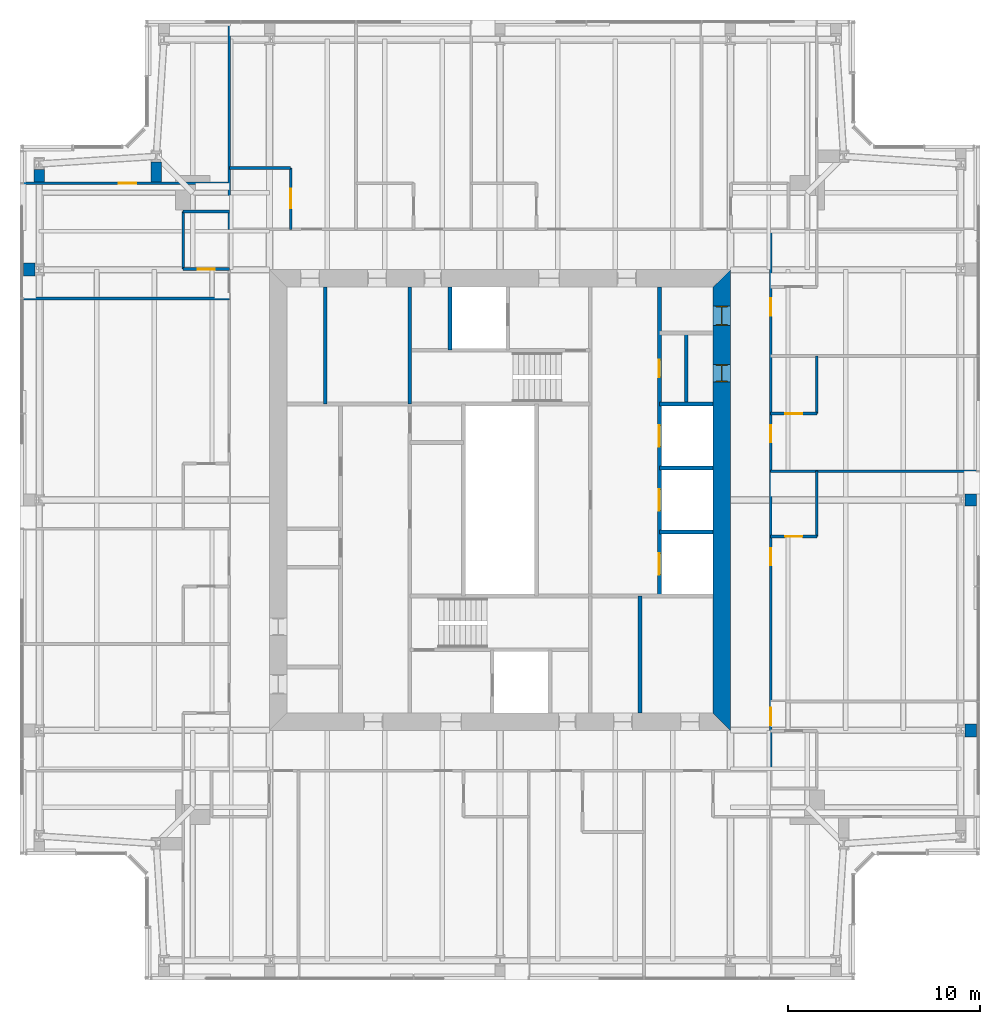
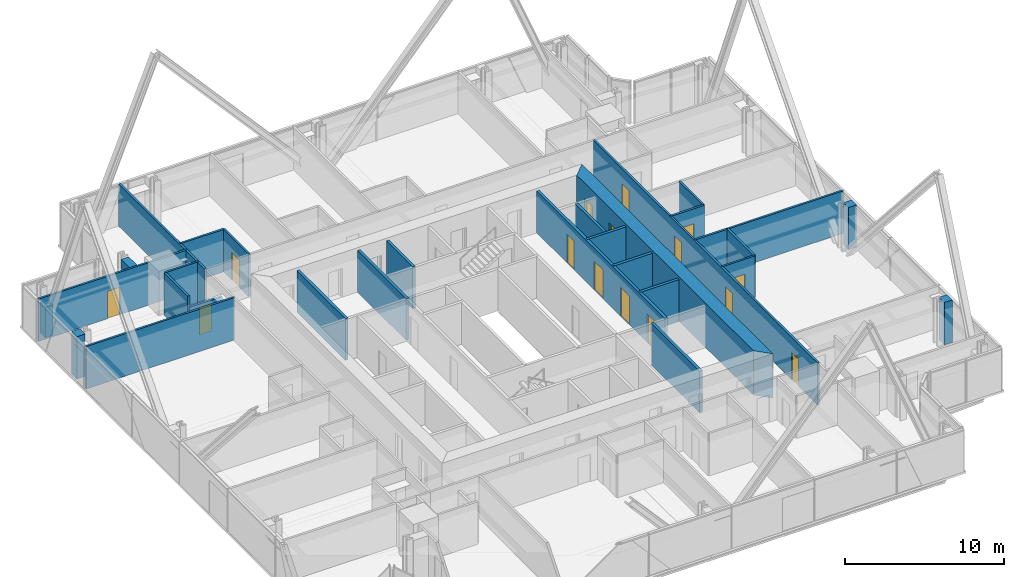
# One storey, part 13 of 20: 29 walls, 15 doors, 15 openings.
"""IFC4 building model written with IfcOpenShell, lengths in metres."""

from ifc_helpers import new_model, si_unit, direction, frame, frame_2d, origin, place, context, subcontext, project, spatial, polyline, rectangle, outline, extrude, material, layer, layer_set, type_object, element, fill, save


model = new_model("IFC4")

# Units and contexts
model_context = context("Model", 3, precision=1e-05, world=origin(), true_north=direction((0.0, 1.0)))
body_context = subcontext(model_context, "Body", "Model", "MODEL_VIEW")
ifc_project = project(units=[si_unit("LENGTHUNIT", "METRE"), si_unit("AREAUNIT", "SQUARE_METRE"), si_unit("VOLUMEUNIT", "CUBIC_METRE"), si_unit("PLANEANGLEUNIT", "RADIAN"), si_unit("MASSUNIT", "GRAM", prefix="KILO")], contexts=[model_context])

# Site, building, storey
site_placement = place(None, origin())
site = spatial("IfcSite", under=ifc_project, at=site_placement, CompositionType="ELEMENT")
building_placement = place(site_placement, origin())
building = spatial("IfcBuilding", under=site, at=building_placement, Name="Fenwick Lantern Interchange", CompositionType="ELEMENT")
storey_placement = place(building_placement, frame((0.0, 0.0, 256.0)))
storey = spatial("IfcBuildingStorey", under=building, at=storey_placement, Name="L60", CompositionType="ELEMENT", Elevation=256.0)

# Walls
ifc_material_1 = material(Name="Fire-rated gypsum board encasement on steel studs, 2 hour", Category="steel")
ifc_layer_1 = layer(ifc_material_1, 0.554931640625)
ifc_layer_set_1 = layer_set([ifc_layer_1], Name="COLUMN PIER 555")
wall_type_1 = type_object("IfcWallType", Name="COLUMN PIER 555", PredefinedType="PARTITIONING", material=ifc_layer_set_1)
wall_1_placement = place(storey_placement, frame((7.10009765625, 41.574951171875, 0.0), z_axis=(0.0, 0.0, 1.0), x_axis=(0.0, 1.0, 0.0)))
element("IfcWall", 1, at=wall_1_placement, inside=storey, type_object=wall_type_1, Name="L60/W/PIER/CNR", PredefinedType="PARTITIONING", context=body_context, shape_type="SweptSolid", body=[
    extrude(rectangle(XDim=1.04052734375, YDim=0.554931640625, at=frame_2d((0.520263671875, 0.0))), origin(), (0.0, 0.0, 1.0), 3.25),
])
wall_2_placement = place(storey_placement, frame((1.0, 41.574951171875, 0.0), z_axis=(0.0, 0.0, 1.0), x_axis=(0.0, 1.0, 0.0)))
element("IfcWall", 2, at=wall_2_placement, inside=storey, type_object=wall_type_1, Name="L60/W/PIER/CW1", PredefinedType="PARTITIONING", context=body_context, shape_type="SweptSolid", body=[
    extrude(rectangle(XDim=0.640625, YDim=0.554931640625, at=frame_2d((0.3203125, 0.0))), origin(), (0.0, 0.0, 1.0), 2.338134765625),
])
ifc_layer_2 = layer(ifc_material_1, 0.631103515625)
ifc_layer_set_2 = layer_set([ifc_layer_2], Name="COLUMN PIER 631")
wall_type_2 = type_object("IfcWallType", Name="COLUMN PIER 631", PredefinedType="PARTITIONING", material=ifc_layer_set_2)
wall_3_placement = place(storey_placement, frame((49.81005859375, 25.0, 0.0), z_axis=(0.0, 0.0, 1.0), x_axis=(-1.0, 0.0, 0.0)))
element("IfcWall", 3, at=wall_3_placement, inside=storey, type_object=wall_type_2, Name="L60/W/PIER/CE3", PredefinedType="PARTITIONING", context=body_context, shape_type="SweptSolid", body=[
    extrude(rectangle(XDim=0.589111328125, YDim=0.631103515625, at=frame_2d((0.29443359375, 0.0))), origin(), (0.0, 0.0, 1.0), 3.25),
])
ifc_layer_3 = layer(ifc_material_1, 0.6689453125)
ifc_layer_set_3 = layer_set([ifc_layer_3], Name="COLUMN PIER 669")
wall_type_3 = type_object("IfcWallType", Name="COLUMN PIER 669", PredefinedType="PARTITIONING", material=ifc_layer_set_3)
for number, where, z_axis, x_axis, name in (
    (4, (49.81005859375, 13.0, 0.0), (0.0, 0.0, 1.0), (-1.0, 0.0, 0.0), "L60/W/PIER/CE2"),
    (5, (0.18994140625, 37.0, 0.0), (0.0, 0.0, 1.0), (1.0, 0.0, 0.0), "L60/W/PIER/CW2"),
):
    element("IfcWall", number, at=place(storey_placement, frame(where, z_axis=z_axis, x_axis=x_axis)), inside=storey, type_object=wall_type_3, Name=name, PredefinedType="PARTITIONING", context=body_context, shape_type="SweptSolid", body=[
        extrude(rectangle(XDim=0.582763671875, YDim=0.6689453125, at=frame_2d((0.29150390625, 0.0))), origin(), (0.0, 0.0, 1.0), 3.25),
    ])
ifc_material_2 = material(Name="Concrete masonry ASTM C90 Grade N", Category="masonry")
ifc_layer_4 = layer(ifc_material_2, 0.199951171875)
ifc_layer_set_4 = layer_set([ifc_layer_4], Name="Concrete masonry ASTM C90 Grade N")
wall_type_4 = type_object("IfcWallType", Name="CORE PARTITION 200", PredefinedType="PARTITIONING", material=ifc_layer_set_4)
wall_4_placement = place(storey_placement, frame((32.300048828125, 13.89990234375, 0.0), z_axis=(0.0, 0.0, 1.0), x_axis=(0.0, 1.0, 0.0)))
element("IfcWall", 6, at=wall_4_placement, inside=storey, type_object=wall_type_4, Name="L60/W/CORES/i2", PredefinedType="PARTITIONING", context=body_context, shape_type="SweptSolid", body=[
    extrude(rectangle(XDim=6.10009765625, YDim=0.199951171875, at=frame_2d((3.050048828125, 0.0))), origin(), (0.0, 0.0, 1.0), 3.199951171875),
])

# Wall, openings, doors
wall_5_placement = place(storey_placement, frame((33.300048828125, 36.10009765625, 0.0), z_axis=(0.0, 0.0, 1.0), x_axis=(0.0, -1.0, 0.0)))
wall_5 = element("IfcWall", 7, at=wall_5_placement, inside=storey, type_object=wall_type_4, Name="L60/W/COREN/a", PredefinedType="PARTITIONING", context=body_context, shape_type="SweptSolid", body=[
    extrude(rectangle(XDim=16.10009765625, YDim=0.199951171875, at=frame_2d((8.050048828125, 0.0))), origin(), (0.0, 0.0, 1.0), 3.199951171875),
])
opening_1_placement = place(wall_5_placement, frame((3.800048828125, 0.0, 0.0)))
opening_1 = element("IfcOpeningElement", 8, at=opening_1_placement, cuts=wall_5, Name="Opening L60-D020", PredefinedType="OPENING", context=body_context, shape_type="SweptSolid", body=[
    extrude(rectangle(XDim=0.89990234375, YDim=2.199951171875, at=frame_2d((0.449951171875, 1.10009765625))), frame((0.0, 0.10986328125, 0.0), z_axis=(0.0, -1.0, 0.0), x_axis=(1.0, 0.0, 0.0)), (0.0, 0.0, 1.0), 0.219970703125),
])
opening_2_placement = place(wall_5_placement, frame((7.216552734375, 0.0, 0.0)))
opening_2 = element("IfcOpeningElement", 9, at=opening_2_placement, cuts=wall_5, Name="Opening LD-E1-1", PredefinedType="OPENING", context=body_context, shape_type="SweptSolid", body=[
    extrude(rectangle(XDim=1.10009765625, YDim=2.199951171875, at=frame_2d((0.550048828125, 1.10009765625))), frame((0.0, 0.10986328125, 0.0), z_axis=(0.0, -1.0, 0.0), x_axis=(1.0, 0.0, 0.0)), (0.0, 0.0, 1.0), 0.219970703125),
])
opening_3_placement = place(wall_5_placement, frame((10.550048828125, 0.0, 0.0)))
opening_3 = element("IfcOpeningElement", 10, at=opening_3_placement, cuts=wall_5, Name="Opening LD-E1-2", PredefinedType="OPENING", context=body_context, shape_type="SweptSolid", body=[
    extrude(rectangle(XDim=1.10009765625, YDim=2.199951171875, at=frame_2d((0.550048828125, 1.10009765625))), frame((0.0, 0.10986328125, 0.0), z_axis=(0.0, -1.0, 0.0), x_axis=(1.0, 0.0, 0.0)), (0.0, 0.0, 1.0), 0.219970703125),
])
opening_4_placement = place(wall_5_placement, frame((13.88330078125, 0.0, 0.0)))
opening_4 = element("IfcOpeningElement", 11, at=opening_4_placement, cuts=wall_5, Name="Opening LD-E1-3", PredefinedType="OPENING", context=body_context, shape_type="SweptSolid", body=[
    extrude(rectangle(XDim=1.10009765625, YDim=2.199951171875, at=frame_2d((0.550048828125, 1.10009765625))), frame((0.0, 0.10986328125, 0.0), z_axis=(0.0, -1.0, 0.0), x_axis=(1.0, 0.0, 0.0)), (0.0, 0.0, 1.0), 0.219970703125),
])
ifc_material_3 = material(Name="Steel door and frame", Category="steel")
door_type_1 = type_object("IfcDoorType", Name="LIFT LANDING DOOR 1100 X 2200", OperationType="DOUBLE_DOOR_SLIDING", PredefinedType="DOOR", material=ifc_material_3)
door_1_placement = place(opening_2_placement, origin())
door_1 = element("IfcDoor", 12, at=door_1_placement, inside=storey, type_object=door_type_1, Name="Lift landing door E1-1", OperationType="DOUBLE_DOOR_SLIDING", OverallHeight=2.199951171875, OverallWidth=1.10009765625, PredefinedType="DOOR", context=body_context, shape_type="SweptSolid", body=[
    extrude(rectangle(XDim=1.10009765625, YDim=2.199951171875, at=frame_2d((0.550048828125, 1.10009765625))), frame((0.0, 0.02490234375, 0.0), z_axis=(0.0, -1.0, 0.0), x_axis=(1.0, 0.0, 0.0)), (0.0, 0.0, 1.0), 0.050048828125),
])
fill(opening_2, door_1)
door_2_placement = place(opening_3_placement, origin())
door_2 = element("IfcDoor", 13, at=door_2_placement, inside=storey, type_object=door_type_1, Name="Lift landing door E1-2", OperationType="DOUBLE_DOOR_SLIDING", OverallHeight=2.199951171875, OverallWidth=1.10009765625, PredefinedType="DOOR", context=body_context, shape_type="SweptSolid", body=[
    extrude(rectangle(XDim=1.10009765625, YDim=2.199951171875, at=frame_2d((0.550048828125, 1.10009765625))), frame((0.0, 0.02490234375, 0.0), z_axis=(0.0, -1.0, 0.0), x_axis=(1.0, 0.0, 0.0)), (0.0, 0.0, 1.0), 0.050048828125),
])
fill(opening_3, door_2)
door_3_placement = place(opening_4_placement, origin())
door_3 = element("IfcDoor", 14, at=door_3_placement, inside=storey, type_object=door_type_1, Name="Lift landing door E1-3", OperationType="DOUBLE_DOOR_SLIDING", OverallHeight=2.199951171875, OverallWidth=1.10009765625, PredefinedType="DOOR", context=body_context, shape_type="SweptSolid", body=[
    extrude(rectangle(XDim=1.10009765625, YDim=2.199951171875, at=frame_2d((0.550048828125, 1.10009765625))), frame((0.0, 0.02490234375, 0.0), z_axis=(0.0, -1.0, 0.0), x_axis=(1.0, 0.0, 0.0)), (0.0, 0.0, 1.0), 0.050048828125),
])
fill(opening_4, door_3)
door_type_2 = type_object("IfcDoorType", Name="SERVICE DOOR 900 X 2200", OperationType="SINGLE_SWING_LEFT", PredefinedType="DOOR", material=ifc_material_3)
door_4_placement = place(opening_1_placement, origin())
door_4 = element("IfcDoor", 15, at=door_4_placement, inside=storey, type_object=door_type_2, Name="Service door", OperationType="SINGLE_SWING_LEFT", OverallHeight=2.199951171875, OverallWidth=0.89990234375, PredefinedType="DOOR", context=body_context, shape_type="SweptSolid", body=[
    extrude(rectangle(XDim=0.89990234375, YDim=2.199951171875, at=frame_2d((0.449951171875, 1.10009765625))), frame((0.0, 0.02490234375, 0.0), z_axis=(0.0, -1.0, 0.0), x_axis=(1.0, 0.0, 0.0)), (0.0, 0.0, 1.0), 0.050048828125),
])
fill(opening_1, door_4)

# Walls
for number, where, z_axis, x_axis, name in (
    (16, (36.10009765625, 30.0, 0.0), (0.0, 0.0, 1.0), (-1.0, 0.0, 0.0), "L60/W/COREN/c2"),
    (17, (36.10009765625, 26.666748046875, 0.0), (0.0, 0.0, 1.0), (-1.0, 0.0, 0.0), "L60/W/COREN/d1"),
    (18, (36.10009765625, 23.333251953125, 0.0), (0.0, 0.0, 1.0), (-1.0, 0.0, 0.0), "L60/W/COREN/d2"),
):
    element("IfcWall", number, at=place(storey_placement, frame(where, z_axis=z_axis, x_axis=x_axis)), inside=storey, type_object=wall_type_4, Name=name, PredefinedType="PARTITIONING", context=body_context, shape_type="SweptSolid", body=[
        extrude(rectangle(XDim=2.800048828125, YDim=0.199951171875, at=frame_2d((1.39990234375, 0.0))), origin(), (0.0, 0.0, 1.0), 3.199951171875),
    ])
wall_6_placement = place(storey_placement, frame((22.39990234375, 36.10009765625, 0.0), z_axis=(0.0, 0.0, 1.0), x_axis=(0.0, -1.0, 0.0)))
element("IfcWall", 19, at=wall_6_placement, inside=storey, type_object=wall_type_4, Name="L60/W/COREN/h2", PredefinedType="PARTITIONING", context=body_context, shape_type="SweptSolid", body=[
    extrude(rectangle(XDim=3.300048828125, YDim=0.199951171875, at=frame_2d((1.64990234375, 0.0))), origin(), (0.0, 0.0, 1.0), 3.199951171875),
])
wall_7_placement = place(storey_placement, frame((15.89990234375, 36.10009765625, 0.0), z_axis=(0.0, 0.0, 1.0), x_axis=(0.0, -1.0, 0.0)))
element("IfcWall", 20, at=wall_7_placement, inside=storey, type_object=wall_type_4, Name="L60/W/COREN/i2", PredefinedType="PARTITIONING", context=body_context, shape_type="SweptSolid", body=[
    extrude(rectangle(XDim=6.10009765625, YDim=0.199951171875, at=frame_2d((3.050048828125, 0.0))), origin(), (0.0, 0.0, 1.0), 3.199951171875),
])
wall_8_placement = place(storey_placement, frame((34.699951171875, 33.699951171875, 0.0), z_axis=(0.0, 0.0, 1.0), x_axis=(0.0, -1.0, 0.0)))
element("IfcWall", 21, at=wall_8_placement, inside=storey, type_object=wall_type_4, Name="L60/W/COREN/px", PredefinedType="PARTITIONING", context=body_context, shape_type="SweptSolid", body=[
    extrude(rectangle(XDim=3.699951171875, YDim=0.199951171875, at=frame_2d((1.85009765625, 0.0))), origin(), (0.0, 0.0, 1.0), 3.199951171875),
])

# Wall, openings, doors
ifc_material_4 = material(Name="Concrete f'c 70 MPa", Category="concrete")
ifc_layer_5 = layer(ifc_material_4, 0.89990234375)
ifc_layer_set_5 = layer_set([ifc_layer_5], Name="CORE WALL 900")
wall_type_5 = type_object("IfcWallType", Name="CORE WALL 900", PredefinedType="SHEAR", material=ifc_layer_set_5)
wall_9_placement = place(storey_placement, frame((36.550048828125, 13.89990234375, 0.0), z_axis=(0.0, 0.0, 1.0), x_axis=(0.0, 1.0, 0.0)))
wall_9 = element("IfcWall", 22, at=wall_9_placement, inside=storey, type_object=wall_type_5, Name="L60/CORE/E", PredefinedType="SHEAR", context=body_context, shape_type="SweptSolid", body=[
    extrude(outline(polyline([(-0.89990234375, -0.449951171875), (23.10009765625, -0.449951171875), (22.199951171875, 0.449951171875), (0.0, 0.449951171875), (-0.89990234375, -0.449951171875)])), origin(), (0.0, 0.0, 1.0), 3.39990234375),
])
opening_5_placement = place(wall_9_placement, frame((20.199951171875, 0.0, 0.0)))
opening_5 = element("IfcOpeningElement", 23, at=opening_5_placement, cuts=wall_9, Name="Opening L60-D019", PredefinedType="OPENING", context=body_context, shape_type="SweptSolid", body=[
    extrude(rectangle(XDim=1.0, YDim=2.199951171875, at=frame_2d((0.5, 1.10009765625))), frame((0.0, 0.4599609375, 0.0), z_axis=(0.0, -1.0, 0.0), x_axis=(1.0, 0.0, 0.0)), (0.0, 0.0, 1.0), 0.919921875),
])
opening_6_placement = place(wall_9_placement, frame((17.25, 0.0, 0.0)))
opening_6 = element("IfcOpeningElement", 24, at=opening_6_placement, cuts=wall_9, Name="Opening L60-D021", PredefinedType="OPENING", context=body_context, shape_type="SweptSolid", body=[
    extrude(rectangle(XDim=0.89990234375, YDim=2.199951171875, at=frame_2d((0.449951171875, 1.10009765625))), frame((0.0, 0.4599609375, 0.0), z_axis=(0.0, -1.0, 0.0), x_axis=(1.0, 0.0, 0.0)), (0.0, 0.0, 1.0), 0.919921875),
])
door_type_3 = type_object("IfcDoorType", Name="SERVICE DOOR 1000 X 2200", OperationType="SINGLE_SWING_LEFT", PredefinedType="DOOR", material=ifc_material_3)
door_5_placement = place(opening_5_placement, origin())
door_5 = element("IfcDoor", 25, at=door_5_placement, inside=storey, type_object=door_type_3, Name="Service door", OperationType="SINGLE_SWING_LEFT", OverallHeight=2.199951171875, OverallWidth=1.0, PredefinedType="DOOR", context=body_context, shape_type="SweptSolid", body=[
    extrude(rectangle(XDim=1.0, YDim=2.199951171875, at=frame_2d((0.5, 1.10009765625))), frame((0.0, 0.02490234375, 0.0), z_axis=(0.0, -1.0, 0.0), x_axis=(1.0, 0.0, 0.0)), (0.0, 0.0, 1.0), 0.050048828125),
    extrude(outline(polyline([(0.0, 0.0), (0.0400390625, 0.0), (0.0400390625, 2.159912109375), (0.9599609375, 2.159912109375), (0.9599609375, 0.0), (1.0, 0.0), (1.0, 2.199951171875), (0.0, 2.199951171875), (0.0, 0.0)])), frame((0.0, 0.300048828125, 0.0), z_axis=(0.0, -1.0, 0.0), x_axis=(1.0, 0.0, 0.0)), (0.0, 0.0, 1.0), 0.60009765625),
])
fill(opening_5, door_5)
door_6_placement = place(opening_6_placement, origin())
door_6 = element("IfcDoor", 26, at=door_6_placement, inside=storey, type_object=door_type_2, Name="Service door", OperationType="SINGLE_SWING_LEFT", OverallHeight=2.199951171875, OverallWidth=0.89990234375, PredefinedType="DOOR", context=body_context, shape_type="SweptSolid", body=[
    extrude(rectangle(XDim=0.89990234375, YDim=2.199951171875, at=frame_2d((0.449951171875, 1.10009765625))), frame((0.0, 0.02490234375, 0.0), z_axis=(0.0, -1.0, 0.0), x_axis=(1.0, 0.0, 0.0)), (0.0, 0.0, 1.0), 0.050048828125),
    extrude(outline(polyline([(0.0, 0.0), (0.0400390625, 0.0), (0.0400390625, 2.159912109375), (0.85986328125, 2.159912109375), (0.85986328125, 0.0), (0.89990234375, 0.0), (0.89990234375, 2.199951171875), (0.0, 2.199951171875), (0.0, 0.0)])), frame((0.0, 0.300048828125, 0.0), z_axis=(0.0, -1.0, 0.0), x_axis=(1.0, 0.0, 0.0)), (0.0, 0.0, 1.0), 0.60009765625),
])
fill(opening_6, door_6)

ifc_material_5 = material(Name="Gypsum board on steel studs, 1 hour", Category="steel")
ifc_layer_6 = layer(ifc_material_5, 0.14990234375)
ifc_layer_set_6 = layer_set([ifc_layer_6], Name="CORRIDOR WALL 150")
wall_type_6 = type_object("IfcWallType", Name="CORRIDOR WALL 150", PredefinedType="PARTITIONING", material=ifc_layer_set_6)
wall_10_placement = place(storey_placement, frame((39.10009765625, 10.89990234375, 0.0), z_axis=(0.0, 0.0, 1.0), x_axis=(0.0, 1.0, 0.0)))
wall_10 = element("IfcWall", 27, at=wall_10_placement, inside=storey, type_object=wall_type_6, Name="L60/W/HOTEL/E/CW", PredefinedType="PARTITIONING", context=body_context, shape_type="SweptSolid", body=[
    extrude(rectangle(XDim=28.2001953125, YDim=0.14990234375, at=frame_2d((14.10009765625, 0.0))), origin(), (0.0, 0.0, 1.0), 3.25),
])
opening_7_placement = place(wall_10_placement, frame((2.375, 0.0, 0.0)))
opening_7 = element("IfcOpeningElement", 28, at=opening_7_placement, cuts=wall_10, Name="Opening L60-D034", PredefinedType="OPENING", context=body_context, shape_type="SweptSolid", body=[
    extrude(rectangle(XDim=0.89990234375, YDim=2.10009765625, at=frame_2d((0.449951171875, 1.050048828125))), frame((0.0, 0.0849609375, 0.0), z_axis=(0.0, -1.0, 0.0), x_axis=(1.0, 0.0, 0.0)), (0.0, 0.0, 1.0), 0.169921875),
])
opening_8_placement = place(wall_10_placement, frame((10.699951171875, 0.0, 0.0)))
opening_8 = element("IfcOpeningElement", 29, at=opening_8_placement, cuts=wall_10, Name="Opening L60-D036", PredefinedType="OPENING", context=body_context, shape_type="SweptSolid", body=[
    extrude(rectangle(XDim=0.89990234375, YDim=2.10009765625, at=frame_2d((0.449951171875, 1.050048828125))), frame((0.0, 0.0849609375, 0.0), z_axis=(0.0, -1.0, 0.0), x_axis=(1.0, 0.0, 0.0)), (0.0, 0.0, 1.0), 0.169921875),
])
opening_9_placement = place(wall_10_placement, frame((17.10009765625, 0.0, 0.0)))
opening_9 = element("IfcOpeningElement", 30, at=opening_9_placement, cuts=wall_10, Name="Opening L60-D038", PredefinedType="OPENING", context=body_context, shape_type="SweptSolid", body=[
    extrude(rectangle(XDim=0.89990234375, YDim=2.10009765625, at=frame_2d((0.449951171875, 1.050048828125))), frame((0.0, 0.0849609375, 0.0), z_axis=(0.0, -1.0, 0.0), x_axis=(1.0, 0.0, 0.0)), (0.0, 0.0, 1.0), 0.169921875),
])
opening_10_placement = place(wall_10_placement, frame((23.699951171875, 0.0, 0.0)))
opening_10 = element("IfcOpeningElement", 31, at=opening_10_placement, cuts=wall_10, Name="Opening L60-D040", PredefinedType="OPENING", context=body_context, shape_type="SweptSolid", body=[
    extrude(rectangle(XDim=0.89990234375, YDim=2.10009765625, at=frame_2d((0.449951171875, 1.050048828125))), frame((0.0, 0.0849609375, 0.0), z_axis=(0.0, -1.0, 0.0), x_axis=(1.0, 0.0, 0.0)), (0.0, 0.0, 1.0), 0.169921875),
])
door_type_4 = type_object("IfcDoorType", Name="GUEST ROOM DOOR 900 X 2100", OperationType="SINGLE_SWING_LEFT", PredefinedType="DOOR", material=ifc_material_3)
door_7_placement = place(opening_7_placement, frame((0.89990234375, 0.0, 0.0), z_axis=(0.0, 0.0, 1.0), x_axis=(-1.0, 0.0, 0.0)))
door_7 = element("IfcDoor", 32, at=door_7_placement, inside=storey, type_object=door_type_4, Name="Guest room door", OperationType="SINGLE_SWING_RIGHT", OverallHeight=2.10009765625, OverallWidth=0.89990234375, PredefinedType="DOOR", context=body_context, shape_type="SweptSolid", body=[
    extrude(rectangle(XDim=0.89990234375, YDim=2.10009765625, at=frame_2d((0.449951171875, 1.050048828125))), frame((0.0, 0.02490234375, 0.0), z_axis=(0.0, -1.0, 0.0), x_axis=(1.0, 0.0, 0.0)), (0.0, 0.0, 1.0), 0.050048828125),
])
fill(opening_7, door_7)
door_8_placement = place(opening_8_placement, frame((0.89990234375, 0.0, 0.0), z_axis=(0.0, 0.0, 1.0), x_axis=(-1.0, 0.0, 0.0)))
door_8 = element("IfcDoor", 33, at=door_8_placement, inside=storey, type_object=door_type_4, Name="Guest room door", OperationType="SINGLE_SWING_LEFT", OverallHeight=2.10009765625, OverallWidth=0.89990234375, PredefinedType="DOOR", context=body_context, shape_type="SweptSolid", body=[
    extrude(rectangle(XDim=0.89990234375, YDim=2.10009765625, at=frame_2d((0.449951171875, 1.050048828125))), frame((0.0, 0.02490234375, 0.0), z_axis=(0.0, -1.0, 0.0), x_axis=(1.0, 0.0, 0.0)), (0.0, 0.0, 1.0), 0.050048828125),
])
fill(opening_8, door_8)
door_9_placement = place(opening_9_placement, frame((0.89990234375, 0.0, 0.0), z_axis=(0.0, 0.0, 1.0), x_axis=(-1.0, 0.0, 0.0)))
door_9 = element("IfcDoor", 34, at=door_9_placement, inside=storey, type_object=door_type_4, Name="Guest room door", OperationType="SINGLE_SWING_LEFT", OverallHeight=2.10009765625, OverallWidth=0.89990234375, PredefinedType="DOOR", context=body_context, shape_type="SweptSolid", body=[
    extrude(rectangle(XDim=0.89990234375, YDim=2.10009765625, at=frame_2d((0.449951171875, 1.050048828125))), frame((0.0, 0.02490234375, 0.0), z_axis=(0.0, -1.0, 0.0), x_axis=(1.0, 0.0, 0.0)), (0.0, 0.0, 1.0), 0.050048828125),
])
fill(opening_9, door_9)
door_10_placement = place(opening_10_placement, frame((0.89990234375, 0.0, 0.0), z_axis=(0.0, 0.0, 1.0), x_axis=(-1.0, 0.0, 0.0)))
door_10 = element("IfcDoor", 35, at=door_10_placement, inside=storey, type_object=door_type_4, Name="Guest room door", OperationType="SINGLE_SWING_LEFT", OverallHeight=2.10009765625, OverallWidth=0.89990234375, PredefinedType="DOOR", context=body_context, shape_type="SweptSolid", body=[
    extrude(rectangle(XDim=0.89990234375, YDim=2.10009765625, at=frame_2d((0.449951171875, 1.050048828125))), frame((0.0, 0.02490234375, 0.0), z_axis=(0.0, -1.0, 0.0), x_axis=(1.0, 0.0, 0.0)), (0.0, 0.0, 1.0), 0.050048828125),
])
fill(opening_10, door_10)

# Wall
ifc_material_6 = material(Name="Gypsum board on steel studs, moisture resistant", Category="steel")
ifc_layer_7 = layer(ifc_material_6, 0.14990234375)
ifc_layer_set_7 = layer_set([ifc_layer_7], Name="EN-SUITE WALL 150")
wall_type_7 = type_object("IfcWallType", Name="EN-SUITE WALL 150", PredefinedType="PARTITIONING", material=ifc_layer_set_7)
wall_11_placement = place(storey_placement, frame((41.5, 23.10009765625, 0.0), z_axis=(0.0, 0.0, 1.0), x_axis=(0.0, 1.0, 0.0)))
element("IfcWall", 36, at=wall_11_placement, inside=storey, type_object=wall_type_7, Name="L60/W/HOTEL/E/U2BW", PredefinedType="PARTITIONING", context=body_context, shape_type="SweptSolid", body=[
    extrude(rectangle(XDim=3.39990234375, YDim=0.14990234375, at=frame_2d((1.699951171875, 0.0))), origin(), (0.0, 0.0, 1.0), 3.25),
])

# Wall, opening, door
wall_12_placement = place(storey_placement, frame((41.5, 23.10009765625, 0.0), z_axis=(0.0, 0.0, 1.0), x_axis=(-1.0, 0.0, 0.0)))
wall_12 = element("IfcWall", 37, at=wall_12_placement, inside=storey, type_object=wall_type_7, Name="L60/W/HOTEL/E/U2BX", PredefinedType="PARTITIONING", context=body_context, shape_type="SweptSolid", body=[
    extrude(rectangle(XDim=2.39990234375, YDim=0.14990234375, at=frame_2d((1.199951171875, 0.0))), origin(), (0.0, 0.0, 1.0), 3.25),
])
opening_11_placement = place(wall_12_placement, frame((0.75, 0.0, 0.0)))
opening_11 = element("IfcOpeningElement", 38, at=opening_11_placement, cuts=wall_12, Name="Opening L60-D035", PredefinedType="OPENING", context=body_context, shape_type="SweptSolid", body=[
    extrude(rectangle(XDim=0.89990234375, YDim=2.10009765625, at=frame_2d((0.449951171875, 1.050048828125))), frame((0.0, 0.0849609375, 0.0), z_axis=(0.0, -1.0, 0.0), x_axis=(1.0, 0.0, 0.0)), (0.0, 0.0, 1.0), 0.169921875),
])
ifc_material_7 = material(Name="Hardwood door and steel frame", Category="steel")
door_type_5 = type_object("IfcDoorType", Name="EN-SUITE DOOR 900 X 2100", OperationType="SINGLE_SWING_LEFT", PredefinedType="DOOR", material=ifc_material_7)
door_11_placement = place(opening_11_placement, frame((0.89990234375, 0.0, 0.0), z_axis=(0.0, 0.0, 1.0), x_axis=(-1.0, 0.0, 0.0)))
door_11 = element("IfcDoor", 39, at=door_11_placement, inside=storey, type_object=door_type_5, Name="En-suite door", OperationType="SINGLE_SWING_RIGHT", OverallHeight=2.10009765625, OverallWidth=0.89990234375, PredefinedType="DOOR", context=body_context, shape_type="SweptSolid", body=[
    extrude(rectangle(XDim=0.89990234375, YDim=2.10009765625, at=frame_2d((0.449951171875, 1.050048828125))), frame((0.0, 0.02490234375, 0.0), z_axis=(0.0, -1.0, 0.0), x_axis=(1.0, 0.0, 0.0)), (0.0, 0.0, 1.0), 0.050048828125),
])
fill(opening_11, door_11)

# Wall
wall_13_placement = place(storey_placement, frame((41.5, 29.5, 0.0), z_axis=(0.0, 0.0, 1.0), x_axis=(0.0, 1.0, 0.0)))
element("IfcWall", 40, at=wall_13_placement, inside=storey, type_object=wall_type_7, Name="L60/W/HOTEL/E/U3BW", PredefinedType="PARTITIONING", context=body_context, shape_type="SweptSolid", body=[
    extrude(rectangle(XDim=3.0, YDim=0.14990234375, at=frame_2d((1.5, 0.0))), origin(), (0.0, 0.0, 1.0), 3.25),
])

# Wall, opening, door
wall_14_placement = place(storey_placement, frame((41.5, 29.5, 0.0), z_axis=(0.0, 0.0, 1.0), x_axis=(-1.0, 0.0, 0.0)))
wall_14 = element("IfcWall", 41, at=wall_14_placement, inside=storey, type_object=wall_type_7, Name="L60/W/HOTEL/E/U3BX", PredefinedType="PARTITIONING", context=body_context, shape_type="SweptSolid", body=[
    extrude(rectangle(XDim=2.39990234375, YDim=0.14990234375, at=frame_2d((1.199951171875, 0.0))), origin(), (0.0, 0.0, 1.0), 3.25),
])
opening_12_placement = place(wall_14_placement, frame((0.75, 0.0, 0.0)))
opening_12 = element("IfcOpeningElement", 42, at=opening_12_placement, cuts=wall_14, Name="Opening L60-D037", PredefinedType="OPENING", context=body_context, shape_type="SweptSolid", body=[
    extrude(rectangle(XDim=0.89990234375, YDim=2.10009765625, at=frame_2d((0.449951171875, 1.050048828125))), frame((0.0, 0.0849609375, 0.0), z_axis=(0.0, -1.0, 0.0), x_axis=(1.0, 0.0, 0.0)), (0.0, 0.0, 1.0), 0.169921875),
])
door_12_placement = place(opening_12_placement, frame((0.89990234375, 0.0, 0.0), z_axis=(0.0, 0.0, 1.0), x_axis=(-1.0, 0.0, 0.0)))
door_12 = element("IfcDoor", 43, at=door_12_placement, inside=storey, type_object=door_type_5, Name="En-suite door", OperationType="SINGLE_SWING_RIGHT", OverallHeight=2.10009765625, OverallWidth=0.89990234375, PredefinedType="DOOR", context=body_context, shape_type="SweptSolid", body=[
    extrude(rectangle(XDim=0.89990234375, YDim=2.10009765625, at=frame_2d((0.449951171875, 1.050048828125))), frame((0.0, 0.02490234375, 0.0), z_axis=(0.0, -1.0, 0.0), x_axis=(1.0, 0.0, 0.0)), (0.0, 0.0, 1.0), 0.050048828125),
])
fill(opening_12, door_12)

# Wall
wall_15_placement = place(storey_placement, frame((14.10009765625, 42.300048828125, 0.0), z_axis=(0.0, 0.0, 1.0), x_axis=(-1.0, 0.0, 0.0)))
element("IfcWall", 44, at=wall_15_placement, inside=storey, type_object=wall_type_7, Name="L60/W/HOTEL/N/U4BW", PredefinedType="PARTITIONING", context=body_context, shape_type="SweptSolid", body=[
    extrude(rectangle(XDim=3.2001953125, YDim=0.14990234375, at=frame_2d((1.60009765625, 0.0))), origin(), (0.0, 0.0, 1.0), 3.25),
])

# Wall, opening, door
wall_16_placement = place(storey_placement, frame((14.10009765625, 42.300048828125, 0.0), z_axis=(0.0, 0.0, 1.0), x_axis=(0.0, -1.0, 0.0)))
wall_16 = element("IfcWall", 45, at=wall_16_placement, inside=storey, type_object=wall_type_7, Name="L60/W/HOTEL/N/U4BX", PredefinedType="PARTITIONING", context=body_context, shape_type="SweptSolid", body=[
    extrude(rectangle(XDim=3.199951171875, YDim=0.14990234375, at=frame_2d((1.60009765625, 0.0))), origin(), (0.0, 0.0, 1.0), 3.25),
])
opening_13_placement = place(wall_16_placement, frame((1.10009765625, 0.0, 0.0)))
opening_13 = element("IfcOpeningElement", 46, at=opening_13_placement, cuts=wall_16, Name="Opening L60-D048", PredefinedType="OPENING", context=body_context, shape_type="SweptSolid", body=[
    extrude(rectangle(XDim=1.0, YDim=2.10009765625, at=frame_2d((0.5, 1.050048828125))), frame((0.0, 0.0849609375, 0.0), z_axis=(0.0, -1.0, 0.0), x_axis=(1.0, 0.0, 0.0)), (0.0, 0.0, 1.0), 0.169921875),
])
door_type_6 = type_object("IfcDoorType", Name="EN-SUITE DOOR 1000 X 2100", OperationType="SINGLE_SWING_LEFT", PredefinedType="DOOR", material=ifc_material_7)
door_13_placement = place(opening_13_placement, frame((1.0, 0.0, 0.0), z_axis=(0.0, 0.0, 1.0), x_axis=(-1.0, 0.0, 0.0)))
door_13 = element("IfcDoor", 47, at=door_13_placement, inside=storey, type_object=door_type_6, Name="En-suite door", OperationType="SINGLE_SWING_RIGHT", OverallHeight=2.10009765625, OverallWidth=1.0, PredefinedType="DOOR", context=body_context, shape_type="SweptSolid", body=[
    extrude(rectangle(XDim=1.0, YDim=2.10009765625, at=frame_2d((0.5, 1.050048828125))), frame((0.0, 0.02490234375, 0.0), z_axis=(0.0, -1.0, 0.0), x_axis=(1.0, 0.0, 0.0)), (0.0, 0.0, 1.0), 0.050048828125),
])
fill(opening_13, door_13)

# Wall
wall_17_placement = place(storey_placement, frame((8.5, 40.02490234375, 0.0), z_axis=(0.0, 0.0, 1.0), x_axis=(0.0, -1.0, 0.0)))
element("IfcWall", 48, at=wall_17_placement, inside=storey, type_object=wall_type_7, Name="L60/W/HOTEL/W/U1BW", PredefinedType="PARTITIONING", context=body_context, shape_type="SweptSolid", body=[
    extrude(rectangle(XDim=3.0, YDim=0.14990234375, at=frame_2d((1.5, 0.0))), origin(), (0.0, 0.0, 1.0), 3.25),
])

# Wall, opening, door
wall_18_placement = place(storey_placement, frame((8.5, 37.02490234375, 0.0), z_axis=(0.0, 0.0, 1.0), x_axis=(1.0, 0.0, 0.0)))
wall_18 = element("IfcWall", 49, at=wall_18_placement, inside=storey, type_object=wall_type_7, Name="L60/W/HOTEL/W/U1BX", PredefinedType="PARTITIONING", context=body_context, shape_type="SweptSolid", body=[
    extrude(rectangle(XDim=2.39990234375, YDim=0.14990234375, at=frame_2d((1.199951171875, 0.0))), origin(), (0.0, 0.0, 1.0), 2.404296875),
])
opening_14_placement = place(wall_18_placement, frame((0.75, 0.0, 0.0)))
opening_14 = element("IfcOpeningElement", 50, at=opening_14_placement, cuts=wall_18, Name="Opening L60-D050", PredefinedType="OPENING", context=body_context, shape_type="SweptSolid", body=[
    extrude(rectangle(XDim=0.89990234375, YDim=2.10009765625, at=frame_2d((0.449951171875, 1.050048828125))), frame((0.0, 0.0849609375, 0.0), z_axis=(0.0, -1.0, 0.0), x_axis=(1.0, 0.0, 0.0)), (0.0, 0.0, 1.0), 0.169921875),
])
door_14_placement = place(opening_14_placement, origin())
door_14 = element("IfcDoor", 51, at=door_14_placement, inside=storey, type_object=door_type_5, Name="En-suite door", OperationType="SINGLE_SWING_LEFT", OverallHeight=2.10009765625, OverallWidth=0.89990234375, PredefinedType="DOOR", context=body_context, shape_type="SweptSolid", body=[
    extrude(rectangle(XDim=0.89990234375, YDim=2.10009765625, at=frame_2d((0.449951171875, 1.050048828125))), frame((0.0, 0.02490234375, 0.0), z_axis=(0.0, -1.0, 0.0), x_axis=(1.0, 0.0, 0.0)), (0.0, 0.0, 1.0), 0.050048828125),
])
fill(opening_14, door_14)

# Walls
wall_19_placement = place(storey_placement, frame((8.5, 40.02490234375, 0.0), z_axis=(0.0, 0.0, 1.0), x_axis=(1.0, 0.0, 0.0)))
element("IfcWall", 52, at=wall_19_placement, inside=storey, type_object=wall_type_7, Name="L60/W/HOTEL/W/U1BV", PredefinedType="PARTITIONING", context=body_context, shape_type="SweptSolid", body=[
    extrude(rectangle(XDim=2.39990234375, YDim=0.14990234375, at=frame_2d((1.199951171875, 0.0))), origin(), (0.0, 0.0, 1.0), 3.25),
])
ifc_material_8 = material(Name="Gypsum board on steel studs, 1 hour acoustic", Category="steel")
ifc_layer_8 = layer(ifc_material_8, 0.14990234375)
ifc_layer_set_8 = layer_set([ifc_layer_8], Name="PARTY WALL 150")
wall_type_8 = type_object("IfcWallType", Name="PARTY WALL 150", PredefinedType="PARTITIONING", material=ifc_layer_set_8)
for number, where, z_axis, x_axis, name in (
    (53, (49.85009765625, 26.5, 0.0), (0.0, 0.0, 1.0), (-1.0, 0.0, 0.0), "L60/W/HOTEL/E/U3PW"),
    (54, (10.89990234375, 49.85009765625, 0.0), (0.0, 0.0, 1.0), (0.0, -1.0, 0.0), "L60/W/HOTEL/W/SW3"),
    (55, (0.14990234375, 35.5, 0.0), (0.0, 0.0, 1.0), (1.0, 0.0, 0.0), "L60/W/HOTEL/W/U2PW"),
):
    element("IfcWall", number, at=place(storey_placement, frame(where, z_axis=z_axis, x_axis=x_axis)), inside=storey, type_object=wall_type_8, Name=name, PredefinedType="PARTITIONING", context=body_context, shape_type="SweptSolid", body=[
        extrude(rectangle(XDim=10.75, YDim=0.14990234375, at=frame_2d((5.375, 0.0))), origin(), (0.0, 0.0, 1.0), 3.25),
    ])
ifc_material_9 = material(Name="Concrete f'c 45 MPa", Category="concrete")
ifc_layer_9 = layer(ifc_material_9, 0.199951171875)
ifc_layer_set_9 = layer_set([ifc_layer_9], Name="STAIR CORE WALL 200")
wall_type_9 = type_object("IfcWallType", Name="STAIR CORE WALL 200", PredefinedType="SOLIDWALL", material=ifc_layer_set_9)
wall_20_placement = place(storey_placement, frame((20.300048828125, 36.10009765625, 0.0), z_axis=(0.0, 0.0, 1.0), x_axis=(0.0, -1.0, 0.0)))
element("IfcWall", 56, at=wall_20_placement, inside=storey, type_object=wall_type_9, Name="L60/W/COREN/i1", PredefinedType="SOLIDWALL", context=body_context, shape_type="SweptSolid", body=[
    extrude(rectangle(XDim=6.10009765625, YDim=0.199951171875, at=frame_2d((3.050048828125, 0.0))), origin(), (0.0, 0.0, 1.0), 3.199951171875),
])

# Wall, opening, door
ifc_material_10 = material(Name="Gypsum board on steel studs, acoustic", Category="steel")
ifc_layer_10 = layer(ifc_material_10, 0.14990234375)
ifc_layer_set_10 = layer_set([ifc_layer_10], Name="SUITE PARTITION 150")
wall_type_10 = type_object("IfcWallType", Name="SUITE PARTITION 150", PredefinedType="PARTITIONING", material=ifc_layer_set_10)
wall_21_placement = place(storey_placement, frame((0.14990234375, 41.5, 0.0), z_axis=(0.0, 0.0, 1.0), x_axis=(1.0, 0.0, 0.0)))
wall_21 = element("IfcWall", 57, at=wall_21_placement, inside=storey, type_object=wall_type_10, Name="L60/W/HOTEL/W/U1P", PredefinedType="PARTITIONING", context=body_context, shape_type="SweptSolid", body=[
    extrude(rectangle(XDim=10.75, YDim=0.14990234375, at=frame_2d((5.375, 0.0))), origin(), (0.0, 0.0, 1.0), 3.25),
])
opening_15_placement = place(wall_21_placement, frame((5.0, 0.0, 0.0)))
opening_15 = element("IfcOpeningElement", 58, at=opening_15_placement, cuts=wall_21, Name="Opening L60-D051", PredefinedType="OPENING", context=body_context, shape_type="SweptSolid", body=[
    extrude(rectangle(XDim=0.89990234375, YDim=2.10009765625, at=frame_2d((0.449951171875, 1.050048828125))), frame((0.0, 0.0849609375, 0.0), z_axis=(0.0, -1.0, 0.0), x_axis=(1.0, 0.0, 0.0)), (0.0, 0.0, 1.0), 0.169921875),
])
door_type_7 = type_object("IfcDoorType", Name="SUITE INTERNAL DOOR 900 X 2100", OperationType="SINGLE_SWING_LEFT", PredefinedType="DOOR", material=ifc_material_7)
door_15_placement = place(opening_15_placement, origin())
door_15 = element("IfcDoor", 59, at=door_15_placement, inside=storey, type_object=door_type_7, Name="Suite internal door", OperationType="SINGLE_SWING_RIGHT", OverallHeight=2.10009765625, OverallWidth=0.89990234375, PredefinedType="DOOR", context=body_context, shape_type="SweptSolid", body=[
    extrude(rectangle(XDim=0.89990234375, YDim=2.10009765625, at=frame_2d((0.449951171875, 1.050048828125))), frame((0.0, 0.02490234375, 0.0), z_axis=(0.0, -1.0, 0.0), x_axis=(1.0, 0.0, 0.0)), (0.0, 0.0, 1.0), 0.050048828125),
])
fill(opening_15, door_15)

save(model, "model.ifc")
